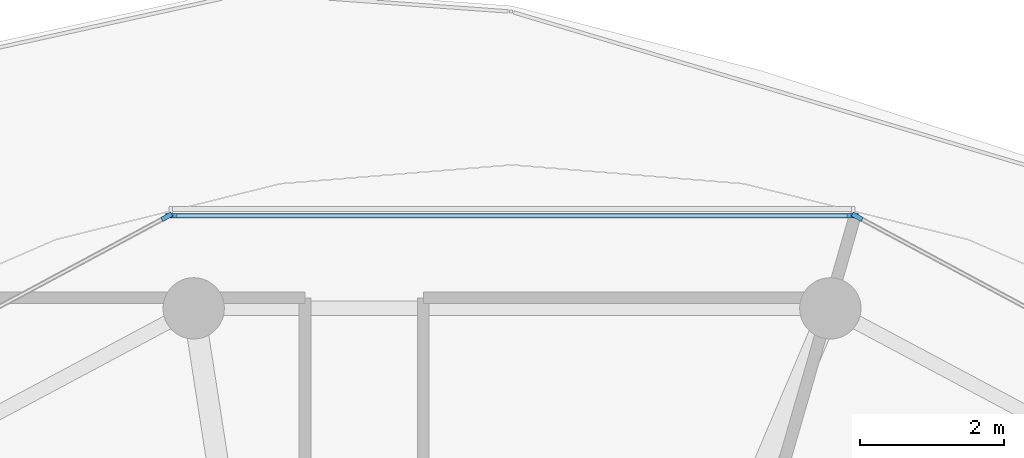
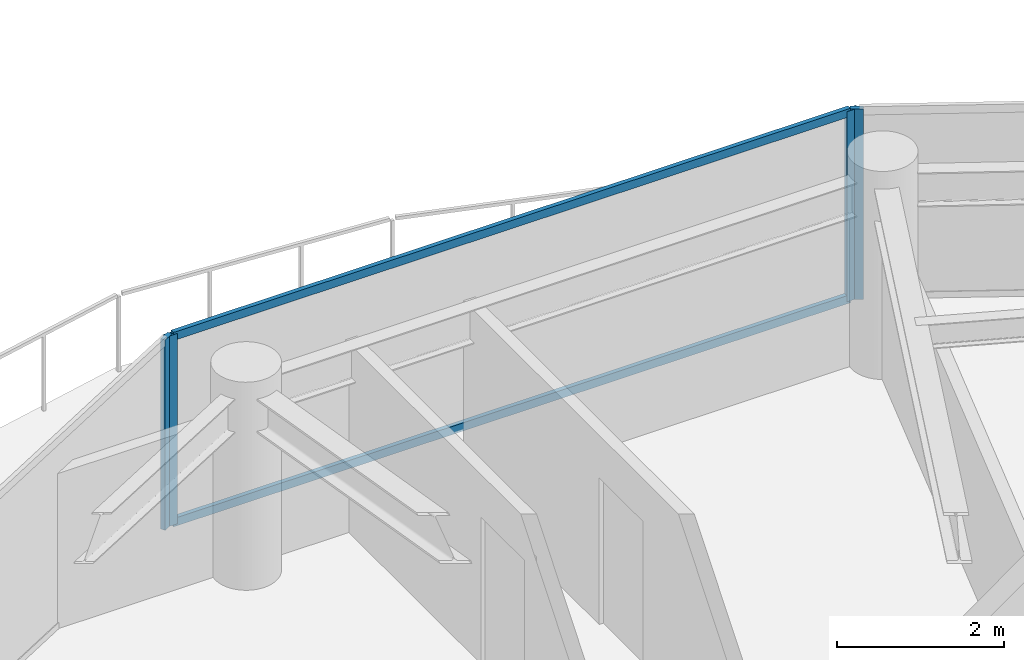
# One storey, part 9 of 22: 6 members, 3 elements without a shape of their own.
"""IFC4 building model written with IfcOpenShell, lengths in metres."""

import ifcopenshell
import ifcopenshell.guid

model = None  # the IFC model being written
_history = None  # IfcOwnerHistory: only IFC2X3 demands one
_inside = {}  # id of a spatial element -> (the spatial element, [elements in it])
_under = {}  # id of a project, library or spatial element -> (it, [spatial elements below it])
_declared = {}  # id of a project -> (the project, [libraries it declares])
_typed = {}  # id of a type object -> (the type object, [elements of that type])
_made_of = {}  # id of a material, layer set ... -> (it, [elements and type objects made of it])


def new_model(schema):
    """Start an empty IFC model of exactly this schema.

    Asked for "IFC4X3", IfcOpenShell would pick the latest addendum, in which some entities
    have other attributes; the version numbers below select the first issue.
    IFC2X3 requires an IfcOwnerHistory on every rooted entity: one is made here for all.
    """
    global model, _history
    if schema == "IFC4X3":
        model = ifcopenshell.file(schema_version=(4, 3, 0, 0))
    else:
        model = ifcopenshell.file(schema=schema)
    _inside.clear()
    _under.clear()
    _declared.clear()
    _typed.clear()
    _made_of.clear()
    _history = None
    if model.schema == "IFC2X3":
        org = make("IfcOrganization", Name="unknown")
        user = make(
            "IfcPersonAndOrganization",
            ThePerson=make("IfcPerson", FamilyName="unknown"),
            TheOrganization=org,
        )
        app = make(
            "IfcApplication",
            ApplicationDeveloper=org,
            Version="unknown",
            ApplicationFullName="unknown",
            ApplicationIdentifier="unknown",
        )
        _history = make(
            "IfcOwnerHistory",
            OwningUser=user,
            OwningApplication=app,
            ChangeAction="ADDED",
            CreationDate=0,
        )
    return model


def make(cls, **values):
    """One entity of the class cls with the attributes given. An attribute that is None is left unset."""
    return model.create_entity(
        cls, **{name: value for name, value in values.items() if value is not None}
    )


def rooted(cls, **values):
    """An entity with a GlobalId (a new one), such as an element, a storey or a relation."""
    return make(cls, GlobalId=ifcopenshell.guid.new(), OwnerHistory=_history, **values)


def si_unit(unit_type, name, prefix=None):
    """IfcSIUnit, for example si_unit("LENGTHUNIT", "METRE", prefix="MILLI")."""
    return make("IfcSIUnit", UnitType=unit_type, Prefix=prefix, Name=name)


def assignment(units):
    """IfcUnitAssignment: the units of a project."""
    return None if units is None else make("IfcUnitAssignment", Units=units)


def point(xyz):
    """IfcCartesianPoint."""
    return None if xyz is None else make("IfcCartesianPoint", Coordinates=xyz)


def direction(xyz):
    """IfcDirection."""
    return None if xyz is None else make("IfcDirection", DirectionRatios=xyz)


def frame(location, z_axis=None, x_axis=None):
    """IfcAxis2Placement3D, a coordinate frame: its origin and axes. An axis left out is left unset."""
    return make(
        "IfcAxis2Placement3D",
        Location=point(location),
        Axis=direction(z_axis),
        RefDirection=direction(x_axis),
    )


def frame_2d(location, x_axis=None):
    """IfcAxis2Placement2D, a coordinate frame in the plane: its origin and x axis."""
    return make(
        "IfcAxis2Placement2D", Location=point(location), RefDirection=direction(x_axis)
    )


def origin():
    """The frame at (0, 0, 0) with its axes left unset."""
    return frame((0.0, 0.0, 0.0))


def origin_2d():
    """The frame at (0, 0) in the plane with its x axis left unset."""
    return frame_2d((0.0, 0.0))


def place(relative_to, where):
    """IfcLocalPlacement: puts the frame where relative to a parent placement (None: the world)."""
    return make(
        "IfcLocalPlacement", PlacementRelTo=relative_to, RelativePlacement=where
    )


def context(
    kind, dimensions, precision=None, world=None, true_north=None, identifier=None
):
    """IfcGeometricRepresentationContext, for example the 3D "Model" context."""
    return make(
        "IfcGeometricRepresentationContext",
        ContextIdentifier=identifier,
        ContextType=kind,
        CoordinateSpaceDimension=dimensions,
        Precision=precision,
        WorldCoordinateSystem=world,
        TrueNorth=true_north,
    )


def subcontext(parent, identifier, kind, view, scale=None):
    """IfcGeometricRepresentationSubContext, for example "Body" below "Model"."""
    return make(
        "IfcGeometricRepresentationSubContext",
        ContextIdentifier=identifier,
        ContextType=kind,
        ParentContext=parent,
        TargetScale=scale,
        TargetView=view,
    )


def project(units=None, contexts=None):
    """IfcProject with its units and contexts."""
    return rooted(
        "IfcProject",
        Name="project",
        RepresentationContexts=contexts,
        UnitsInContext=assignment(units),
    )


def spatial(cls, under=None, at=None, **own):
    """A site, building, storey or space (cls), placed at a placement, below another one or the project."""
    s = rooted(cls, ObjectPlacement=at, **own)
    if under is not None:
        _under.setdefault(under.id(), (under, []))[1].append(s)
    return s


def profile(cls, at=None, kind="AREA", **sizes):
    """A parametric profile (cls). Its sizes go by their IFC names, for example OverallWidth=200.0."""
    return make(cls, ProfileType=kind, Position=at, **sizes)


def rectangle(**sizes):
    """IfcRectangleProfileDef."""
    return profile("IfcRectangleProfileDef", **sizes)


def extrude(swept, where, along, depth):
    """IfcExtrudedAreaSolid: the profile swept, set in the frame where, extruded along a direction by depth."""
    return make(
        "IfcExtrudedAreaSolid",
        SweptArea=swept,
        Position=where,
        ExtrudedDirection=direction(along),
        Depth=depth,
    )


def shape(context_of_items, identifier, shape_type, items):
    """IfcShapeRepresentation: the items that make up one representation, for example the "Body"."""
    return make(
        "IfcShapeRepresentation",
        ContextOfItems=context_of_items,
        RepresentationIdentifier=identifier,
        RepresentationType=shape_type,
        Items=items,
    )


def source(mapping_origin, context_of_items, identifier, shape_type, items):
    """IfcRepresentationMap: a shape defined once, which mapped items show again and again."""
    return make(
        "IfcRepresentationMap",
        MappingOrigin=mapping_origin,
        MappedRepresentation=shape(context_of_items, identifier, shape_type, items),
    )


def transform(
    local_origin,
    x_axis=None,
    y_axis=None,
    z_axis=None,
    scale=None,
    scale2=None,
    scale3=None,
    uniform=True,
):
    """IfcCartesianTransformationOperator3D, or its non-uniform kind. x_axis, y_axis, z_axis: its Axis1, 2, 3."""
    if uniform:
        return make(
            "IfcCartesianTransformationOperator3D",
            Axis1=direction(x_axis),
            Axis2=direction(y_axis),
            LocalOrigin=point(local_origin),
            Scale=scale,
            Axis3=direction(z_axis),
        )
    return make(
        "IfcCartesianTransformationOperator3DnonUniform",
        Axis1=direction(x_axis),
        Axis2=direction(y_axis),
        LocalOrigin=point(local_origin),
        Scale=scale,
        Axis3=direction(z_axis),
        Scale2=scale2,
        Scale3=scale3,
    )


def mapped(mapping_source, mapping_target):
    """IfcMappedItem: shows the shape of a source again, moved by a transform."""
    return make(
        "IfcMappedItem", MappingSource=mapping_source, MappingTarget=mapping_target
    )


def material(Name=None, Category=None):
    """IfcMaterial."""
    return make("IfcMaterial", Name=Name, Category=Category)


def layer(
    of_material, thickness, ventilated=None, Name=None, Category=None, Priority=None
):
    """IfcMaterialLayer: one layer of a wall or slab, of a material (None: an air gap)."""
    return make(
        "IfcMaterialLayer",
        Material=of_material,
        LayerThickness=thickness,
        IsVentilated=ventilated,
        Name=Name,
        Category=Category,
        Priority=Priority,
    )


def layer_set(layers, Name=None):
    """IfcMaterialLayerSet."""
    return make("IfcMaterialLayerSet", MaterialLayers=layers, LayerSetName=Name)


def material_profile(
    of_material, cross_section, Name=None, Category=None, Priority=None
):
    """IfcMaterialProfile: a cross section and its material."""
    return make(
        "IfcMaterialProfile",
        Name=Name,
        Material=of_material,
        Profile=cross_section,
        Priority=Priority,
        Category=Category,
    )


def profile_set(profiles, Name=None, composite=None):
    """IfcMaterialProfileSet."""
    return make(
        "IfcMaterialProfileSet",
        Name=Name,
        MaterialProfiles=profiles,
        CompositeProfile=composite,
    )


def made_of(thing, what):
    """Note that an element or type object is made of a material, layer set ...; save() writes the relation."""
    if what is not None:
        _made_of.setdefault(what.id(), (what, []))[1].append(thing)
    return thing


def type_object(cls, material=None, **own):
    """A type object (cls), such as IfcWallType, which elements share."""
    return made_of(rooted(cls, **own), material)


def type_shapes(of_type, sources):
    """Give a type object the sources (RepresentationMaps) that its elements show as mapped items."""
    of_type.RepresentationMaps = sources


def element(
    cls,
    number,
    at=None,
    inside=None,
    cuts=None,
    type_object=None,
    material=None,
    context=None,
    identifier="Body",
    shape_type=None,
    held_by="IfcProductDefinitionShape",
    body=None,
    shapes=None,
    **own,
):
    """One element of the class cls, such as IfcWall. Its Tag is "e" and its number.

    at: its placement. inside: the storey or other place that contains it. cuts: it is an
    opening in that element (IfcRelVoidsElement). A single representation is given by context,
    identifier, shape_type and body (its items); several are given by shapes. held_by: the class
    of the entity that holds the representations. save() writes the other relations.
    """
    e = rooted(cls, Tag="e%d" % number, ObjectPlacement=at, **own)
    if body is not None:
        shapes = [shape(context, identifier, shape_type, body)]
    if shapes is not None:
        e.Representation = make(held_by, Representations=shapes)
    if inside is not None:
        _inside.setdefault(inside.id(), (inside, []))[1].append(e)
    if cuts is not None:
        rooted(
            "IfcRelVoidsElement", RelatingBuildingElement=cuts, RelatedOpeningElement=e
        )
    if type_object is not None:
        _typed.setdefault(type_object.id(), (type_object, []))[1].append(e)
    return made_of(e, material)


def aggregate(whole, parts):
    """IfcRelAggregates: a whole, such as a stair, and the parts it consists of."""
    return rooted("IfcRelAggregates", RelatingObject=whole, RelatedObjects=parts)


def save(model, path):
    """Write the relations noted so far, then the file.

    IfcRelAggregates (storeys below a building ...), IfcRelContainedInSpatialStructure (elements
    in a storey), IfcRelDefinesByType, IfcRelAssociatesMaterial and IfcRelDeclares: one each for
    every whole, place, type object, material and project.
    """
    for whole, parts in _under.values():
        aggregate(whole, parts)
    for where, things in _inside.values():
        rooted(
            "IfcRelContainedInSpatialStructure",
            RelatedElements=things,
            RelatingStructure=where,
        )
    for kind, things in _typed.values():
        rooted("IfcRelDefinesByType", RelatedObjects=things, RelatingType=kind)
    for what, things in _made_of.values():
        rooted("IfcRelAssociatesMaterial", RelatedObjects=things, RelatingMaterial=what)
    for by, libraries in _declared.values():
        rooted("IfcRelDeclares", RelatingContext=by, RelatedDefinitions=libraries)
    model.write(path)


model = new_model("IFC4")

# Units and contexts
model_context = context("Model", 3, precision=1e-05, world=origin(), true_north=direction((0.0, 1.0)))
body_context = subcontext(model_context, "Body", "Model", "MODEL_VIEW")
ifc_project = project(units=[si_unit("LENGTHUNIT", "METRE"), si_unit("AREAUNIT", "SQUARE_METRE"), si_unit("VOLUMEUNIT", "CUBIC_METRE"), si_unit("PLANEANGLEUNIT", "RADIAN"), si_unit("MASSUNIT", "GRAM", prefix="KILO")], contexts=[model_context])

# Site, building, storey
site_placement = place(None, origin())
site = spatial("IfcSite", under=ifc_project, at=site_placement, CompositionType="ELEMENT")
building_placement = place(site_placement, origin())
building = spatial("IfcBuilding", under=site, at=building_placement, Name="Norrkilde Senior Care Towers", CompositionType="ELEMENT")
storey_placement = place(building_placement, frame((0.0, 0.0, 87.10009765625)))
storey = spatial("IfcBuildingStorey", under=building, at=storey_placement, Name="L26", CompositionType="ELEMENT", Elevation=87.10009765625)

# Curtain wall, member
ifc_material_1 = material(Name="Triple Low-E Insulated Glazing", Category="glass")
ifc_layer = layer(ifc_material_1, 0.195068359375)
ifc_layer_set = layer_set([ifc_layer], Name="Triple Low-E Insulated Glazing")
curtain_wall_type = type_object("IfcCurtainWallType", Name="CW3 Zone 2 Assisted Living Curtain Wall", PredefinedType="NOTDEFINED", material=ifc_layer_set)
curtain_wall_1_placement = place(storey_placement, origin())
curtain_wall_1 = element("IfcCurtainWall", 1, at=curtain_wall_1_placement, inside=storey, type_object=curtain_wall_type, Name="L26 Drum W Curtain Wall 01", PredefinedType="NOTDEFINED")
ifc_material_2 = material(Name="Anodised Aluminium", Category="aluminium")
ifc_material_profile_1 = material_profile(ifc_material_2, rectangle(XDim=0.06494140625, YDim=0.159912109375, at=origin_2d()), Name="ALU MULL 65x160")
ifc_profile_set_1 = profile_set([ifc_material_profile_1], Name="Anodised Aluminium")
member_type_1 = type_object("IfcMemberType", Name="Curtain Wall Mullion Z1-Z2 65x160", PredefinedType="MULLION", material=ifc_profile_set_1)
shared_shape_1 = source(origin(), body_context, "Body", "SweptSolid", [
    extrude(rectangle(XDim=0.06494140625, YDim=0.159912109375, at=origin_2d()), origin(), (0.0, 0.0, 1.0), 2.789794921875),
])
type_shapes(member_type_1, [shared_shape_1])
member_1_placement = place(storey_placement, frame((-21.164306640625, 16.482666015625, 0.0), z_axis=(0.0, 0.0, 1.0), x_axis=(0.472769402511, 0.881186184668, 0.0)))
member_1 = element("IfcMember", 2, at=member_1_placement, type_object=member_type_1, Name="CW-3 mullion 1", PredefinedType="MULLION", context=body_context, shape_type="MappedRepresentation", body=[
    mapped(shared_shape_1, transform((0.0, 0.0, 0.0), x_axis=(1.0, 0.0, 0.0), y_axis=(0.0, 1.0, 0.0), z_axis=(0.0, 0.0, 1.0), scale=1.0)),
])
aggregate(curtain_wall_1, [member_1])

# Curtain wall, members
curtain_wall_2_placement = place(storey_placement, origin())
curtain_wall_2 = element("IfcCurtainWall", 3, at=curtain_wall_2_placement, inside=storey, type_object=curtain_wall_type, Name="L26 Drum W Curtain Wall 02", PredefinedType="NOTDEFINED")
member_2_placement = place(storey_placement, frame((-30.674560546875, 16.498046875, 0.0), z_axis=(0.0, 0.0, 1.0), x_axis=(0.0, 1.0, 0.0)))
member_2 = element("IfcMember", 4, at=member_2_placement, type_object=member_type_1, Name="CW-3 mullion 1", PredefinedType="MULLION", context=body_context, shape_type="MappedRepresentation", body=[
    mapped(shared_shape_1, transform((0.0, 0.0, 0.0), x_axis=(1.0, 0.0, 0.0), y_axis=(0.0, 1.0, 0.0), z_axis=(0.0, 0.0, 1.0), scale=1.0)),
])
member_3_placement = place(storey_placement, frame((-21.225341796875, 16.498046875, 0.0), z_axis=(0.0, 0.0, 1.0), x_axis=(0.0, 1.0, 0.0)))
member_3 = element("IfcMember", 5, at=member_3_placement, type_object=member_type_1, Name="CW-3 mullion 2", PredefinedType="MULLION", context=body_context, shape_type="MappedRepresentation", body=[
    mapped(shared_shape_1, transform((0.0, 0.0, 0.0), x_axis=(1.0, 0.0, 0.0), y_axis=(0.0, 1.0, 0.0), z_axis=(0.0, 0.0, 1.0), scale=1.0)),
])

# Curtain wall, member
curtain_wall_3_placement = place(storey_placement, origin())
curtain_wall_3 = element("IfcCurtainWall", 6, at=curtain_wall_3_placement, inside=storey, type_object=curtain_wall_type, Name="L26 Drum W Curtain Wall 03", PredefinedType="NOTDEFINED")
member_4_placement = place(storey_placement, frame((-30.73583984375, 16.482666015625, 0.0), z_axis=(0.0, 0.0, 1.0), x_axis=(-0.472769402511, 0.881186184668, 0.0)))
member_4 = element("IfcMember", 7, at=member_4_placement, type_object=member_type_1, Name="CW-3 mullion 2", PredefinedType="MULLION", context=body_context, shape_type="MappedRepresentation", body=[
    mapped(shared_shape_1, transform((0.0, 0.0, 0.0), x_axis=(1.0, 0.0, 0.0), y_axis=(0.0, 1.0, 0.0), z_axis=(0.0, 0.0, 1.0), scale=1.0)),
])
aggregate(curtain_wall_3, [member_4])

# Member
ifc_material_profile_2 = material_profile(ifc_material_2, rectangle(XDim=0.06005859375, YDim=0.1201171875, at=origin_2d()), Name="ALU TRAN 60x120")
ifc_profile_set_2 = profile_set([ifc_material_profile_2], Name="Anodised Aluminium")
member_type_2 = type_object("IfcMemberType", Name="Curtain Wall Transom Typical 60x120", PredefinedType="USERDEFINED", material=ifc_profile_set_2)
shared_shape_2 = source(origin(), body_context, "Body", "SweptSolid", [
    extrude(rectangle(XDim=0.06005859375, YDim=0.1201171875, at=origin_2d()), origin(), (0.0, 0.0, 1.0), 9.38427734375),
])
type_shapes(member_type_2, [shared_shape_2])
member_5_placement = place(storey_placement, frame((-30.64208984375, 16.498046875, 0.02978515625), z_axis=(1.0, 0.0, 0.0), x_axis=(0.0, 1.0, 0.0)))
member_5 = element("IfcMember", 8, at=member_5_placement, type_object=member_type_2, Name="CW-3 transom 1.1", ObjectType="TRANSOM", PredefinedType="USERDEFINED", context=body_context, shape_type="MappedRepresentation", body=[
    mapped(shared_shape_2, transform((0.0, 0.0, 0.0), x_axis=(1.0, 0.0, 0.0), y_axis=(0.0, 1.0, 0.0), z_axis=(0.0, 0.0, 1.0), scale=1.0)),
])

member_6_placement = place(storey_placement, frame((-30.64208984375, 16.498046875, 2.760009765625), z_axis=(1.0, 0.0, 0.0), x_axis=(0.0, 1.0, 0.0)))
member_6 = element("IfcMember", 9, at=member_6_placement, type_object=member_type_2, Name="CW-3 transom 1.2", ObjectType="TRANSOM", PredefinedType="USERDEFINED", context=body_context, shape_type="MappedRepresentation", body=[
    mapped(shared_shape_2, transform((0.0, 0.0, 0.0), x_axis=(1.0, 0.0, 0.0), y_axis=(0.0, 1.0, 0.0), z_axis=(0.0, 0.0, 1.0), scale=1.0)),
])

aggregate(curtain_wall_2, [member_2, member_3, member_5, member_6])

save(model, "model.ifc")
